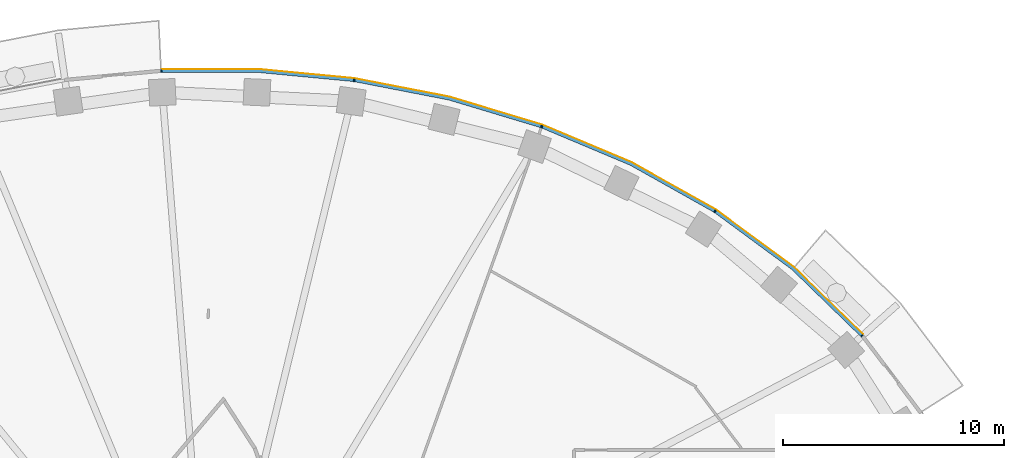
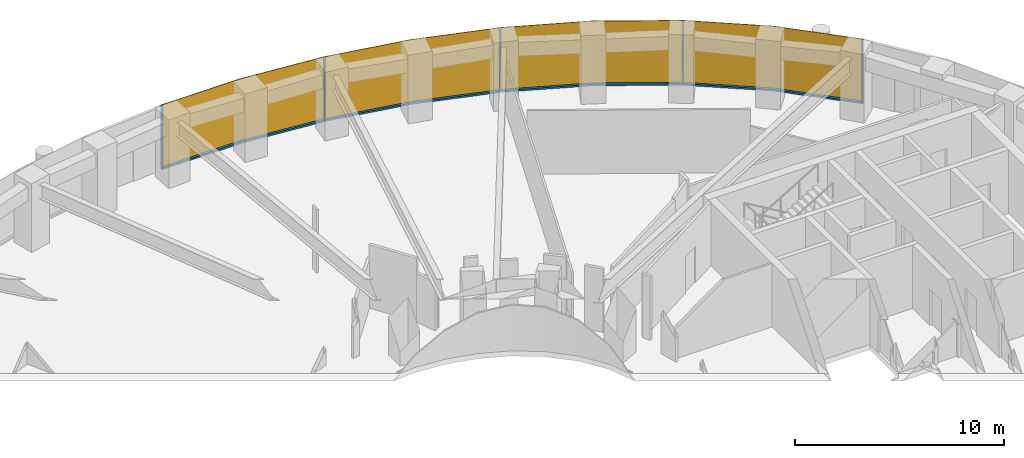
# One storey, part 13 of 16: 9 members, 1 curtain wall.
"""IFC4 building model written with IfcOpenShell, lengths in metres."""

from ifc_helpers import new_model, si_unit, direction, frame, origin, origin_2d, place, context, subcontext, project, spatial, polyline, rectangle, outline, extrude, material, layer, layer_set, material_profile, profile_set, type_object, element, aggregate, save


model = new_model("IFC4")

# Units and contexts
model_context = context("Model", 3, precision=1e-05, world=origin(), true_north=direction((0.0, 1.0)))
body_context = subcontext(model_context, "Body", "Model", "MODEL_VIEW")
ifc_project = project(units=[si_unit("LENGTHUNIT", "METRE"), si_unit("AREAUNIT", "SQUARE_METRE"), si_unit("VOLUMEUNIT", "CUBIC_METRE"), si_unit("PLANEANGLEUNIT", "RADIAN"), si_unit("MASSUNIT", "GRAM", prefix="KILO")], contexts=[model_context])

# Member
ifc_material_1 = material(Name="Aluminium 6063-T6 black anodised", Category="aluminium")
ifc_material_profile = material_profile(ifc_material_1, rectangle(XDim=0.1201171875, YDim=0.06005859375, at=origin_2d()), Name="120x60")
ifc_profile_set = profile_set([ifc_material_profile], Name="Aluminium 6063-T6 black anodised")
member_type_1 = type_object("IfcMemberType", Name="ENV-MULLION-A-120", PredefinedType="MULLION", material=ifc_profile_set)
site_placement = place(None, origin())
building_placement = place(site_placement, origin())
storey_placement = place(building_placement, frame((0.0, 0.0, 150.0)))
member_1_placement = place(storey_placement, frame((29.53857421875, 15.8671875, 0.0), z_axis=(0.0, 0.0, 1.0), x_axis=(-0.749047221705, -0.662516610853, 0.0)))
member_1 = element("IfcMember", 1, at=member_1_placement, type_object=member_type_1, Name="Mullion A radial 05", PredefinedType="MULLION", context=body_context, shape_type="SweptSolid", body=[
    extrude(rectangle(XDim=0.1201171875, YDim=0.06005859375, at=origin_2d()), origin(), (0.0, 0.0, 1.0), 3.699951171875),
])

member_2_placement = place(storey_placement, frame((22.882568359375, 21.506591796875, 0.0), z_axis=(0.0, 0.0, 1.0), x_axis=(-0.542279153225, -0.840198381323, 0.0)))
member_2 = element("IfcMember", 2, at=member_2_placement, type_object=member_type_1, Name="Mullion A radial 07", PredefinedType="MULLION", context=body_context, shape_type="SweptSolid", body=[
    extrude(rectangle(XDim=0.1201171875, YDim=0.06005859375, at=origin_2d()), origin(), (0.0, 0.0, 1.0), 3.699951171875),
])

member_3_placement = place(storey_placement, frame((15.0341796875, 25.34375, 0.0), z_axis=(0.0, 0.0, 1.0), x_axis=(-0.338379256581, -0.941009818608, 0.0)))
member_3 = element("IfcMember", 3, at=member_3_placement, type_object=member_type_1, Name="Mullion A radial 09", PredefinedType="MULLION", context=body_context, shape_type="SweptSolid", body=[
    extrude(rectangle(XDim=0.1201171875, YDim=0.06005859375, at=origin_2d()), origin(), (0.0, 0.0, 1.0), 3.699951171875),
])

member_4_placement = place(storey_placement, frame((6.54638671875, 27.440185546875, 0.0), z_axis=(0.0, 0.0, 1.0), x_axis=(-0.143082012705, -0.989710835366, 0.0)))
member_4 = element("IfcMember", 4, at=member_4_placement, type_object=member_type_1, Name="Mullion A radial 11", PredefinedType="MULLION", context=body_context, shape_type="SweptSolid", body=[
    extrude(rectangle(XDim=0.1201171875, YDim=0.06005859375, at=origin_2d()), origin(), (0.0, 0.0, 1.0), 3.699951171875),
])

member_5_placement = place(storey_placement, frame((-2.188720703125, 27.856201171875, 0.0), z_axis=(0.0, 0.0, 1.0), x_axis=(0.047557873581, -0.998868484166, 0.0)))
member_5 = element("IfcMember", 5, at=member_5_placement, type_object=member_type_1, Name="Mullion A radial 13", PredefinedType="MULLION", context=body_context, shape_type="SweptSolid", body=[
    extrude(rectangle(XDim=0.1201171875, YDim=0.06005859375, at=origin_2d()), origin(), (0.0, 0.0, 1.0), 3.699951171875),
])

ifc_material_2 = material(Name="Aluminium 6063-T6 black anodised", Category="aluminium")
member_type_2 = type_object("IfcMemberType", Name="ENV-TRANSOM-A", PredefinedType="USERDEFINED", material=ifc_material_2)
member_6_placement = place(storey_placement, origin())
member_6 = element("IfcMember", 6, at=member_6_placement, type_object=member_type_2, Name="Transom A radial 05-07", ObjectType="TRANSOM", PredefinedType="USERDEFINED", context=body_context, shape_type="SweptSolid", body=[
    extrude(outline(polyline([(29.5634765625, 15.926513671875), (26.4423828125, 18.958740234375), (22.937744140625, 21.540283203125), (22.87255859375, 21.439208984375), (26.364501953125, 18.866943359375), (29.473388671875, 15.8466796875), (29.5634765625, 15.926513671875)])), origin(), (0.0, 0.0, 1.0), 0.10009765625),
])

member_7_placement = place(storey_placement, origin())
member_7 = element("IfcMember", 7, at=member_7_placement, type_object=member_type_2, Name="Transom A radial 07-09", ObjectType="TRANSOM", PredefinedType="USERDEFINED", context=body_context, shape_type="SweptSolid", body=[
    extrude(outline(polyline([(22.890625, 21.570556640625), (19.093994140625, 23.701416015625), (15.080322265625, 25.389404296875), (15.03955078125, 25.276123046875), (19.041259765625, 23.593505859375), (22.825439453125, 21.469482421875), (22.890625, 21.570556640625)])), origin(), (0.0, 0.0, 1.0), 0.10009765625),
])

member_8_placement = place(storey_placement, origin())
member_8 = element("IfcMember", 8, at=member_8_placement, type_object=member_type_2, Name="Transom A radial 09-11", ObjectType="TRANSOM", PredefinedType="USERDEFINED", context=body_context, shape_type="SweptSolid", body=[
    extrude(outline(polyline([(15.027587890625, 25.408203125), (10.857666015625, 26.6630859375), (6.58251953125, 27.494140625), (6.5654296875, 27.375244140625), (10.828857421875, 26.54638671875), (14.987060546875, 25.295166015625), (15.027587890625, 25.408203125)])), origin(), (0.0, 0.0, 1.0), 0.10009765625),
])

member_9_placement = place(storey_placement, origin())
member_9 = element("IfcMember", 9, at=member_9_placement, type_object=member_type_2, Name="Transom A radial 11-13", ObjectType="TRANSOM", PredefinedType="USERDEFINED", context=body_context, shape_type="SweptSolid", body=[
    extrude(outline(polyline([(6.527099609375, 27.502197265625), (2.191650390625, 27.916015625), (-2.163818359375, 27.916015625), (-2.157958984375, 27.7958984375), (2.185791015625, 27.7958984375), (6.510009765625, 27.38330078125), (6.527099609375, 27.502197265625)])), origin(), (0.0, 0.0, 1.0), 0.10009765625),
])

# Site, building, storey
site = spatial("IfcSite", under=ifc_project, at=site_placement, CompositionType="ELEMENT")
building = spatial("IfcBuilding", under=site, at=building_placement, Name="Noorbagh Ring Tower", CompositionType="ELEMENT")
storey = spatial("IfcBuildingStorey", under=building, at=storey_placement, Name="L34", CompositionType="ELEMENT", Elevation=150.0)

# Curtain wall
ifc_material_3 = material(Name="Glass dark tinted laminated", Category="glass")
ifc_layer = layer(ifc_material_3, 0.031982421875)
ifc_layer_set = layer_set([ifc_layer], Name="Glass dark tinted laminated")
curtain_wall_type = type_object("IfcCurtainWallType", Name="ENV-CW-A", PredefinedType="NOTDEFINED", material=ifc_layer_set)
curtain_wall_placement = place(storey_placement, origin())
curtain_wall = element("IfcCurtainWall", 10, at=curtain_wall_placement, inside=storey, type_object=curtain_wall_type, Name="Curtain wall A R05", PredefinedType="NOTDEFINED", context=body_context, shape_type="SweptSolid", body=[
    extrude(outline(polyline([(29.59326171875, 15.942138671875), (26.463134765625, 18.9833984375), (22.9326171875, 21.583740234375), (19.108154296875, 23.730224609375), (15.065185546875, 25.430419921875), (10.865234375, 26.6943359375), (6.559814453125, 27.53125), (2.193115234375, 27.947998046875), (-2.173095703125, 27.947998046875), (-2.171630859375, 27.916015625), (2.191650390625, 27.916015625), (6.55517578125, 27.49951171875), (10.857666015625, 26.6630859375), (15.054443359375, 25.400146484375), (19.093994140625, 23.701416015625), (22.9150390625, 21.556884765625), (26.4423828125, 18.958740234375), (29.569091796875, 15.9208984375), (29.59326171875, 15.942138671875)])), origin(), (0.0, 0.0, 1.0), 3.699951171875),
])

aggregate(curtain_wall, [member_1, member_2, member_3, member_4, member_5, member_6, member_7, member_8, member_9])

save(model, "model.ifc")
